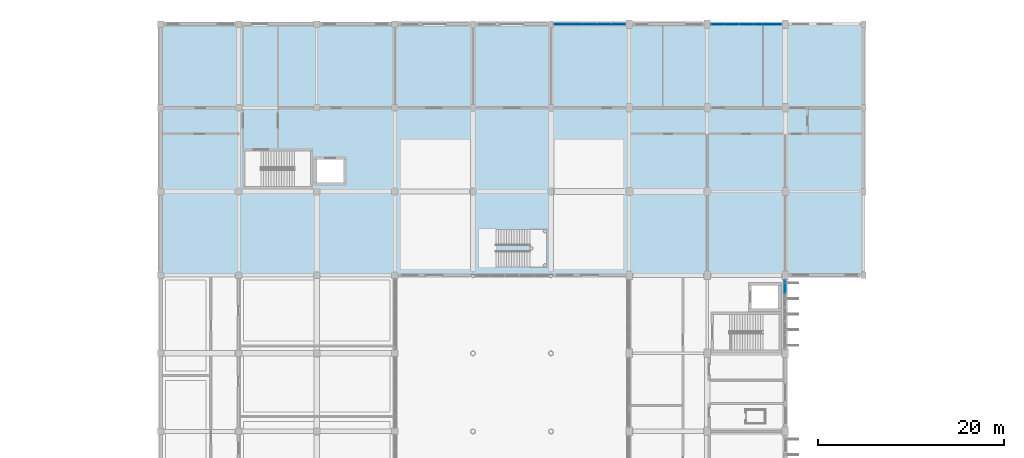
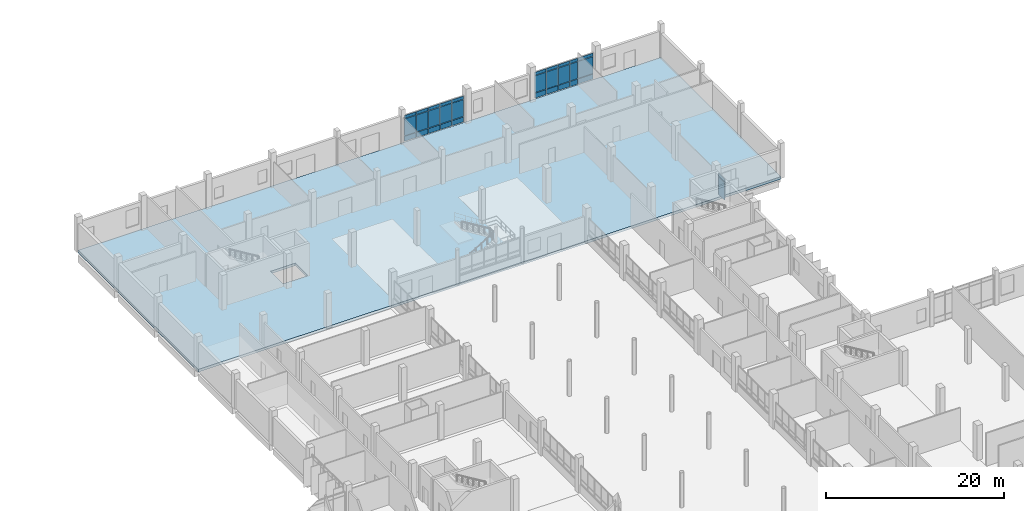
# One storey, part 70 of 95: 32 plates, 1 slab, 1 opening, 3 elements without a shape of their own.
"""IFC4 building model written with IfcOpenShell, lengths in metres."""

import ifcopenshell
import ifcopenshell.guid

model = None  # the IFC model being written
_history = None  # IfcOwnerHistory: only IFC2X3 demands one
_inside = {}  # id of a spatial element -> (the spatial element, [elements in it])
_under = {}  # id of a project, library or spatial element -> (it, [spatial elements below it])
_declared = {}  # id of a project -> (the project, [libraries it declares])
_typed = {}  # id of a type object -> (the type object, [elements of that type])
_made_of = {}  # id of a material, layer set ... -> (it, [elements and type objects made of it])


def new_model(schema):
    """Start an empty IFC model of exactly this schema.

    Asked for "IFC4X3", IfcOpenShell would pick the latest addendum, in which some entities
    have other attributes; the version numbers below select the first issue.
    IFC2X3 requires an IfcOwnerHistory on every rooted entity: one is made here for all.
    """
    global model, _history
    if schema == "IFC4X3":
        model = ifcopenshell.file(schema_version=(4, 3, 0, 0))
    else:
        model = ifcopenshell.file(schema=schema)
    _inside.clear()
    _under.clear()
    _declared.clear()
    _typed.clear()
    _made_of.clear()
    _history = None
    if model.schema == "IFC2X3":
        org = make("IfcOrganization", Name="unknown")
        user = make(
            "IfcPersonAndOrganization",
            ThePerson=make("IfcPerson", FamilyName="unknown"),
            TheOrganization=org,
        )
        app = make(
            "IfcApplication",
            ApplicationDeveloper=org,
            Version="unknown",
            ApplicationFullName="unknown",
            ApplicationIdentifier="unknown",
        )
        _history = make(
            "IfcOwnerHistory",
            OwningUser=user,
            OwningApplication=app,
            ChangeAction="ADDED",
            CreationDate=0,
        )
    return model


def make(cls, **values):
    """One entity of the class cls with the attributes given. An attribute that is None is left unset."""
    return model.create_entity(
        cls, **{name: value for name, value in values.items() if value is not None}
    )


def rooted(cls, **values):
    """An entity with a GlobalId (a new one), such as an element, a storey or a relation."""
    return make(cls, GlobalId=ifcopenshell.guid.new(), OwnerHistory=_history, **values)


def si_unit(unit_type, name, prefix=None):
    """IfcSIUnit, for example si_unit("LENGTHUNIT", "METRE", prefix="MILLI")."""
    return make("IfcSIUnit", UnitType=unit_type, Prefix=prefix, Name=name)


def assignment(units):
    """IfcUnitAssignment: the units of a project."""
    return None if units is None else make("IfcUnitAssignment", Units=units)


def point(xyz):
    """IfcCartesianPoint."""
    return None if xyz is None else make("IfcCartesianPoint", Coordinates=xyz)


def direction(xyz):
    """IfcDirection."""
    return None if xyz is None else make("IfcDirection", DirectionRatios=xyz)


def frame(location, z_axis=None, x_axis=None):
    """IfcAxis2Placement3D, a coordinate frame: its origin and axes. An axis left out is left unset."""
    return make(
        "IfcAxis2Placement3D",
        Location=point(location),
        Axis=direction(z_axis),
        RefDirection=direction(x_axis),
    )


def frame_2d(location, x_axis=None):
    """IfcAxis2Placement2D, a coordinate frame in the plane: its origin and x axis."""
    return make(
        "IfcAxis2Placement2D", Location=point(location), RefDirection=direction(x_axis)
    )


def origin():
    """The frame at (0, 0, 0) with its axes left unset."""
    return frame((0.0, 0.0, 0.0))


def origin_2d():
    """The frame at (0, 0) in the plane with its x axis left unset."""
    return frame_2d((0.0, 0.0))


def place(relative_to, where):
    """IfcLocalPlacement: puts the frame where relative to a parent placement (None: the world)."""
    return make(
        "IfcLocalPlacement", PlacementRelTo=relative_to, RelativePlacement=where
    )


def context(
    kind, dimensions, precision=None, world=None, true_north=None, identifier=None
):
    """IfcGeometricRepresentationContext, for example the 3D "Model" context."""
    return make(
        "IfcGeometricRepresentationContext",
        ContextIdentifier=identifier,
        ContextType=kind,
        CoordinateSpaceDimension=dimensions,
        Precision=precision,
        WorldCoordinateSystem=world,
        TrueNorth=true_north,
    )


def subcontext(parent, identifier, kind, view, scale=None):
    """IfcGeometricRepresentationSubContext, for example "Body" below "Model"."""
    return make(
        "IfcGeometricRepresentationSubContext",
        ContextIdentifier=identifier,
        ContextType=kind,
        ParentContext=parent,
        TargetScale=scale,
        TargetView=view,
    )


def project(units=None, contexts=None):
    """IfcProject with its units and contexts."""
    return rooted(
        "IfcProject",
        Name="project",
        RepresentationContexts=contexts,
        UnitsInContext=assignment(units),
    )


def spatial(cls, under=None, at=None, **own):
    """A site, building, storey or space (cls), placed at a placement, below another one or the project."""
    s = rooted(cls, ObjectPlacement=at, **own)
    if under is not None:
        _under.setdefault(under.id(), (under, []))[1].append(s)
    return s


def polyline(points):
    """IfcPolyline through the points."""
    return make("IfcPolyline", Points=[point(p) for p in points])


def profile(cls, at=None, kind="AREA", **sizes):
    """A parametric profile (cls). Its sizes go by their IFC names, for example OverallWidth=200.0."""
    return make(cls, ProfileType=kind, Position=at, **sizes)


def rectangle(**sizes):
    """IfcRectangleProfileDef."""
    return profile("IfcRectangleProfileDef", **sizes)


def outline(outer, holes=None, kind="AREA"):
    """IfcArbitraryClosedProfileDef: a profile drawn as a closed curve; with holes, ...WithVoids."""
    if holes is None:
        return make("IfcArbitraryClosedProfileDef", ProfileType=kind, OuterCurve=outer)
    return make(
        "IfcArbitraryProfileDefWithVoids",
        ProfileType=kind,
        OuterCurve=outer,
        InnerCurves=holes,
    )


def extrude(swept, where, along, depth):
    """IfcExtrudedAreaSolid: the profile swept, set in the frame where, extruded along a direction by depth."""
    return make(
        "IfcExtrudedAreaSolid",
        SweptArea=swept,
        Position=where,
        ExtrudedDirection=direction(along),
        Depth=depth,
    )


def shape(context_of_items, identifier, shape_type, items):
    """IfcShapeRepresentation: the items that make up one representation, for example the "Body"."""
    return make(
        "IfcShapeRepresentation",
        ContextOfItems=context_of_items,
        RepresentationIdentifier=identifier,
        RepresentationType=shape_type,
        Items=items,
    )


def material(Name=None, Category=None):
    """IfcMaterial."""
    return make("IfcMaterial", Name=Name, Category=Category)


def layer(
    of_material, thickness, ventilated=None, Name=None, Category=None, Priority=None
):
    """IfcMaterialLayer: one layer of a wall or slab, of a material (None: an air gap)."""
    return make(
        "IfcMaterialLayer",
        Material=of_material,
        LayerThickness=thickness,
        IsVentilated=ventilated,
        Name=Name,
        Category=Category,
        Priority=Priority,
    )


def layer_set(layers, Name=None):
    """IfcMaterialLayerSet."""
    return make("IfcMaterialLayerSet", MaterialLayers=layers, LayerSetName=Name)


def made_of(thing, what):
    """Note that an element or type object is made of a material, layer set ...; save() writes the relation."""
    if what is not None:
        _made_of.setdefault(what.id(), (what, []))[1].append(thing)
    return thing


def type_object(cls, material=None, **own):
    """A type object (cls), such as IfcWallType, which elements share."""
    return made_of(rooted(cls, **own), material)


def element(
    cls,
    number,
    at=None,
    inside=None,
    cuts=None,
    type_object=None,
    material=None,
    context=None,
    identifier="Body",
    shape_type=None,
    held_by="IfcProductDefinitionShape",
    body=None,
    shapes=None,
    **own,
):
    """One element of the class cls, such as IfcWall. Its Tag is "e" and its number.

    at: its placement. inside: the storey or other place that contains it. cuts: it is an
    opening in that element (IfcRelVoidsElement). A single representation is given by context,
    identifier, shape_type and body (its items); several are given by shapes. held_by: the class
    of the entity that holds the representations. save() writes the other relations.
    """
    e = rooted(cls, Tag="e%d" % number, ObjectPlacement=at, **own)
    if body is not None:
        shapes = [shape(context, identifier, shape_type, body)]
    if shapes is not None:
        e.Representation = make(held_by, Representations=shapes)
    if inside is not None:
        _inside.setdefault(inside.id(), (inside, []))[1].append(e)
    if cuts is not None:
        rooted(
            "IfcRelVoidsElement", RelatingBuildingElement=cuts, RelatedOpeningElement=e
        )
    if type_object is not None:
        _typed.setdefault(type_object.id(), (type_object, []))[1].append(e)
    return made_of(e, material)


def aggregate(whole, parts):
    """IfcRelAggregates: a whole, such as a stair, and the parts it consists of."""
    return rooted("IfcRelAggregates", RelatingObject=whole, RelatedObjects=parts)


def save(model, path):
    """Write the relations noted so far, then the file.

    IfcRelAggregates (storeys below a building ...), IfcRelContainedInSpatialStructure (elements
    in a storey), IfcRelDefinesByType, IfcRelAssociatesMaterial and IfcRelDeclares: one each for
    every whole, place, type object, material and project.
    """
    for whole, parts in _under.values():
        aggregate(whole, parts)
    for where, things in _inside.values():
        rooted(
            "IfcRelContainedInSpatialStructure",
            RelatedElements=things,
            RelatingStructure=where,
        )
    for kind, things in _typed.values():
        rooted("IfcRelDefinesByType", RelatedObjects=things, RelatingType=kind)
    for what, things in _made_of.values():
        rooted("IfcRelAssociatesMaterial", RelatedObjects=things, RelatingMaterial=what)
    for by, libraries in _declared.values():
        rooted("IfcRelDeclares", RelatingContext=by, RelatedDefinitions=libraries)
    model.write(path)


model = new_model("IFC4")

# Units and contexts
model_context = context("Model", 3, precision=1e-05, world=origin(), true_north=direction((0.0, 1.0)))
body_context = subcontext(model_context, "Body", "Model", "MODEL_VIEW")
ifc_project = project(units=[si_unit("LENGTHUNIT", "METRE"), si_unit("AREAUNIT", "SQUARE_METRE"), si_unit("VOLUMEUNIT", "CUBIC_METRE"), si_unit("PLANEANGLEUNIT", "RADIAN"), si_unit("MASSUNIT", "GRAM", prefix="KILO")], contexts=[model_context])

# Site, building, storey
site_placement = place(None, origin())
site = spatial("IfcSite", under=ifc_project, at=site_placement, CompositionType="ELEMENT")
building_placement = place(site_placement, origin())
building = spatial("IfcBuilding", under=site, at=building_placement, Name="Vireocrest Preparatory School", CompositionType="ELEMENT")
storey_placement = place(building_placement, origin())
storey = spatial("IfcBuildingStorey", under=building, at=storey_placement, Name="L00", CompositionType="ELEMENT", Elevation=0.0)

# Curtain wall, plates
ifc_material_1 = material(Name="Thermally broken aluminium EN AW-6063-T6", Category="aluminium")
ifc_layer_1 = layer(ifc_material_1, 0.179931640625)
ifc_layer_set_1 = layer_set([ifc_layer_1], Name="Thermally broken aluminium EN AW-6063-T6")
curtain_wall_type_1 = type_object("IfcCurtainWallType", Name="Ground Storefront Curtain Wall 8400x4800", PredefinedType="USERDEFINED", material=ifc_layer_set_1)
curtain_wall_1_placement = place(storey_placement, origin())
curtain_wall_1 = element("IfcCurtainWall", 1, at=curtain_wall_1_placement, inside=storey, type_object=curtain_wall_type_1, Name="Curtain Wall CW04 CW_L00_CW04_1092_0778_000", ObjectType="CURTAIN WALL", PredefinedType="USERDEFINED")
ifc_material_2 = material(Name="Insulated triple low-e tempered safety glass", Category="glass")
ifc_layer_2 = layer(ifc_material_2, 0.074951171875)
ifc_layer_set_2 = layer_set([ifc_layer_2], Name="Insulated triple low-e tempered safety glass")
plate_type_1 = type_object("IfcPlateType", Name="Acoustic Triple-Glazed Lab Curtain Panel 75", PredefinedType="CURTAIN_PANEL", material=ifc_layer_set_2)
plate_1_placement = place(storey_placement, frame((109.199951171875, 84.572021484375, 0.882568359375), z_axis=(0.0, 0.0, 1.0), x_axis=(0.0, 1.0, 0.0)))
plate_1 = element("IfcPlate", 2, at=plate_1_placement, type_object=plate_type_1, Name="CW Panel GL2 CW_L00_CW04_1092_0778_000-5-2", PredefinedType="CURTAIN_PANEL", context=body_context, shape_type="SweptSolid", body=[
    extrude(rectangle(XDim=1.4208984375, YDim=0.074951171875, at=origin_2d()), origin(), (0.0, 0.0, 1.0), 2.375),
])
plate_2_placement = place(storey_placement, frame((109.199951171875, 84.572021484375, 3.32275390625), z_axis=(0.0, 0.0, 1.0), x_axis=(0.0, 1.0, 0.0)))
plate_2 = element("IfcPlate", 3, at=plate_2_placement, type_object=plate_type_1, Name="CW Panel GL2 CW_L00_CW04_1092_0778_000-5-3", PredefinedType="CURTAIN_PANEL", context=body_context, shape_type="SweptSolid", body=[
    extrude(rectangle(XDim=1.4208984375, YDim=0.074951171875, at=origin_2d()), origin(), (0.0, 0.0, 1.0), 0.409912109375),
])
aggregate(curtain_wall_1, [plate_1, plate_2])

ifc_layer_3 = layer(ifc_material_1, 0.179931640625)
ifc_layer_set_3 = layer_set([ifc_layer_3], Name="Thermally broken aluminium EN AW-6063-T6")
curtain_wall_type_2 = type_object("IfcCurtainWallType", Name="North Street Curtain Wall 8400x4000", PredefinedType="USERDEFINED", material=ifc_layer_set_3)
curtain_wall_2_placement = place(storey_placement, origin())
curtain_wall_2 = element("IfcCurtainWall", 4, at=curtain_wall_2_placement, inside=storey, type_object=curtain_wall_type_2, Name="Curtain Wall CW05 CW_L00_CW05_0842_1128_000", ObjectType="CURTAIN WALL", PredefinedType="USERDEFINED")
plate_3_placement = place(storey_placement, frame((85.05810546875, 112.800048828125, 0.88232421875), z_axis=(0.0, 0.0, 1.0), x_axis=(1.0, 0.0, 0.0)))
plate_3 = element("IfcPlate", 5, at=plate_3_placement, type_object=plate_type_1, Name="CW Panel GL2 CW_L00_CW05_0842_1128_000-1-2", PredefinedType="CURTAIN_PANEL", context=body_context, shape_type="SweptSolid", body=[
    extrude(rectangle(XDim=1.48095703125, YDim=0.074951171875, at=origin_2d()), origin(), (0.0, 0.0, 1.0), 2.304931640625),
])
plate_4_placement = place(storey_placement, frame((85.05810546875, 112.800048828125, 3.25244140625), z_axis=(0.0, 0.0, 1.0), x_axis=(1.0, 0.0, 0.0)))
plate_4 = element("IfcPlate", 6, at=plate_4_placement, type_object=plate_type_1, Name="CW Panel GL2 CW_L00_CW05_0842_1128_000-1-3", PredefinedType="CURTAIN_PANEL", context=body_context, shape_type="SweptSolid", body=[
    extrude(rectangle(XDim=1.48095703125, YDim=0.074951171875, at=origin_2d()), origin(), (0.0, 0.0, 1.0), 0.409912109375),
])
plate_5_placement = place(storey_placement, frame((86.60400390625, 112.800048828125, 0.88232421875), z_axis=(0.0, 0.0, 1.0), x_axis=(1.0, 0.0, 0.0)))
plate_5 = element("IfcPlate", 7, at=plate_5_placement, type_object=plate_type_1, Name="CW Panel GL2 CW_L00_CW05_0842_1128_000-2-2", PredefinedType="CURTAIN_PANEL", context=body_context, shape_type="SweptSolid", body=[
    extrude(rectangle(XDim=1.48095703125, YDim=0.074951171875, at=origin_2d()), origin(), (0.0, 0.0, 1.0), 2.304931640625),
])
plate_6_placement = place(storey_placement, frame((86.60400390625, 112.800048828125, 3.25244140625), z_axis=(0.0, 0.0, 1.0), x_axis=(1.0, 0.0, 0.0)))
plate_6 = element("IfcPlate", 8, at=plate_6_placement, type_object=plate_type_1, Name="CW Panel GL2 CW_L00_CW05_0842_1128_000-2-3", PredefinedType="CURTAIN_PANEL", context=body_context, shape_type="SweptSolid", body=[
    extrude(rectangle(XDim=1.48095703125, YDim=0.074951171875, at=origin_2d()), origin(), (0.0, 0.0, 1.0), 0.409912109375),
])
plate_7_placement = place(storey_placement, frame((88.14990234375, 112.800048828125, 0.88232421875), z_axis=(0.0, 0.0, 1.0), x_axis=(1.0, 0.0, 0.0)))
plate_7 = element("IfcPlate", 9, at=plate_7_placement, type_object=plate_type_1, Name="CW Panel GL2 CW_L00_CW05_0842_1128_000-3-2", PredefinedType="CURTAIN_PANEL", context=body_context, shape_type="SweptSolid", body=[
    extrude(rectangle(XDim=1.48095703125, YDim=0.074951171875, at=origin_2d()), origin(), (0.0, 0.0, 1.0), 2.304931640625),
])
plate_8_placement = place(storey_placement, frame((88.14990234375, 112.800048828125, 3.25244140625), z_axis=(0.0, 0.0, 1.0), x_axis=(1.0, 0.0, 0.0)))
plate_8 = element("IfcPlate", 10, at=plate_8_placement, type_object=plate_type_1, Name="CW Panel GL2 CW_L00_CW05_0842_1128_000-3-3", PredefinedType="CURTAIN_PANEL", context=body_context, shape_type="SweptSolid", body=[
    extrude(rectangle(XDim=1.48095703125, YDim=0.074951171875, at=origin_2d()), origin(), (0.0, 0.0, 1.0), 0.409912109375),
])
plate_9_placement = place(storey_placement, frame((89.696044921875, 112.800048828125, 0.88232421875), z_axis=(0.0, 0.0, 1.0), x_axis=(1.0, 0.0, 0.0)))
plate_9 = element("IfcPlate", 11, at=plate_9_placement, type_object=plate_type_1, Name="CW Panel GL2 CW_L00_CW05_0842_1128_000-4-2", PredefinedType="CURTAIN_PANEL", context=body_context, shape_type="SweptSolid", body=[
    extrude(rectangle(XDim=1.48095703125, YDim=0.074951171875, at=origin_2d()), origin(), (0.0, 0.0, 1.0), 2.304931640625),
])
plate_10_placement = place(storey_placement, frame((89.696044921875, 112.800048828125, 3.25244140625), z_axis=(0.0, 0.0, 1.0), x_axis=(1.0, 0.0, 0.0)))
plate_10 = element("IfcPlate", 12, at=plate_10_placement, type_object=plate_type_1, Name="CW Panel GL2 CW_L00_CW05_0842_1128_000-4-3", PredefinedType="CURTAIN_PANEL", context=body_context, shape_type="SweptSolid", body=[
    extrude(rectangle(XDim=1.48095703125, YDim=0.074951171875, at=origin_2d()), origin(), (0.0, 0.0, 1.0), 0.409912109375),
])
plate_11_placement = place(storey_placement, frame((91.241943359375, 112.800048828125, 0.88232421875), z_axis=(0.0, 0.0, 1.0), x_axis=(1.0, 0.0, 0.0)))
plate_11 = element("IfcPlate", 13, at=plate_11_placement, type_object=plate_type_1, Name="CW Panel GL2 CW_L00_CW05_0842_1128_000-5-2", PredefinedType="CURTAIN_PANEL", context=body_context, shape_type="SweptSolid", body=[
    extrude(rectangle(XDim=1.48095703125, YDim=0.074951171875, at=origin_2d()), origin(), (0.0, 0.0, 1.0), 2.304931640625),
])
plate_12_placement = place(storey_placement, frame((91.241943359375, 112.800048828125, 3.25244140625), z_axis=(0.0, 0.0, 1.0), x_axis=(1.0, 0.0, 0.0)))
plate_12 = element("IfcPlate", 14, at=plate_12_placement, type_object=plate_type_1, Name="CW Panel GL2 CW_L00_CW05_0842_1128_000-5-3", PredefinedType="CURTAIN_PANEL", context=body_context, shape_type="SweptSolid", body=[
    extrude(rectangle(XDim=1.48095703125, YDim=0.074951171875, at=origin_2d()), origin(), (0.0, 0.0, 1.0), 0.409912109375),
])

curtain_wall_3_placement = place(storey_placement, origin())
curtain_wall_3 = element("IfcCurtainWall", 15, at=curtain_wall_3_placement, inside=storey, type_object=curtain_wall_type_2, Name="Curtain Wall CW05 CW_L00_CW05_1011_1128_000", ObjectType="CURTAIN WALL", PredefinedType="USERDEFINED")
plate_13_placement = place(storey_placement, frame((101.947998046875, 112.800048828125, 0.88232421875), z_axis=(0.0, 0.0, 1.0), x_axis=(1.0, 0.0, 0.0)))
plate_13 = element("IfcPlate", 16, at=plate_13_placement, type_object=plate_type_1, Name="CW Panel GL2 CW_L00_CW05_1011_1128_000-1-2", PredefinedType="CURTAIN_PANEL", context=body_context, shape_type="SweptSolid", body=[
    extrude(rectangle(XDim=1.4609375, YDim=0.074951171875, at=origin_2d()), origin(), (0.0, 0.0, 1.0), 2.304931640625),
])
plate_14_placement = place(storey_placement, frame((101.947998046875, 112.800048828125, 3.25244140625), z_axis=(0.0, 0.0, 1.0), x_axis=(1.0, 0.0, 0.0)))
plate_14 = element("IfcPlate", 17, at=plate_14_placement, type_object=plate_type_1, Name="CW Panel GL2 CW_L00_CW05_1011_1128_000-1-3", PredefinedType="CURTAIN_PANEL", context=body_context, shape_type="SweptSolid", body=[
    extrude(rectangle(XDim=1.4609375, YDim=0.074951171875, at=origin_2d()), origin(), (0.0, 0.0, 1.0), 0.409912109375),
])
plate_15_placement = place(storey_placement, frame((103.47412109375, 112.800048828125, 0.88232421875), z_axis=(0.0, 0.0, 1.0), x_axis=(1.0, 0.0, 0.0)))
plate_15 = element("IfcPlate", 18, at=plate_15_placement, type_object=plate_type_1, Name="CW Panel GL2 CW_L00_CW05_1011_1128_000-2-2", PredefinedType="CURTAIN_PANEL", context=body_context, shape_type="SweptSolid", body=[
    extrude(rectangle(XDim=1.4609375, YDim=0.074951171875, at=origin_2d()), origin(), (0.0, 0.0, 1.0), 2.304931640625),
])
plate_16_placement = place(storey_placement, frame((103.47412109375, 112.800048828125, 3.25244140625), z_axis=(0.0, 0.0, 1.0), x_axis=(1.0, 0.0, 0.0)))
plate_16 = element("IfcPlate", 19, at=plate_16_placement, type_object=plate_type_1, Name="CW Panel GL2 CW_L00_CW05_1011_1128_000-2-3", PredefinedType="CURTAIN_PANEL", context=body_context, shape_type="SweptSolid", body=[
    extrude(rectangle(XDim=1.4609375, YDim=0.074951171875, at=origin_2d()), origin(), (0.0, 0.0, 1.0), 0.409912109375),
])
plate_17_placement = place(storey_placement, frame((105.0, 112.800048828125, 0.88232421875), z_axis=(0.0, 0.0, 1.0), x_axis=(1.0, 0.0, 0.0)))
plate_17 = element("IfcPlate", 20, at=plate_17_placement, type_object=plate_type_1, Name="CW Panel GL2 CW_L00_CW05_1011_1128_000-3-2", PredefinedType="CURTAIN_PANEL", context=body_context, shape_type="SweptSolid", body=[
    extrude(rectangle(XDim=1.4609375, YDim=0.074951171875, at=origin_2d()), origin(), (0.0, 0.0, 1.0), 2.304931640625),
])
plate_18_placement = place(storey_placement, frame((105.0, 112.800048828125, 3.25244140625), z_axis=(0.0, 0.0, 1.0), x_axis=(1.0, 0.0, 0.0)))
plate_18 = element("IfcPlate", 21, at=plate_18_placement, type_object=plate_type_1, Name="CW Panel GL2 CW_L00_CW05_1011_1128_000-3-3", PredefinedType="CURTAIN_PANEL", context=body_context, shape_type="SweptSolid", body=[
    extrude(rectangle(XDim=1.4609375, YDim=0.074951171875, at=origin_2d()), origin(), (0.0, 0.0, 1.0), 0.409912109375),
])
plate_19_placement = place(storey_placement, frame((106.281494140625, 112.800048828125, 0.88232421875), z_axis=(0.0, 0.0, 1.0), x_axis=(1.0, 0.0, 0.0)))
plate_19 = element("IfcPlate", 22, at=plate_19_placement, type_object=plate_type_1, Name="CW Panel GL2 CW_L00_CW05_1011_1128_000-4-2", PredefinedType="CURTAIN_PANEL", context=body_context, shape_type="SweptSolid", body=[
    extrude(rectangle(XDim=0.971923828125, YDim=0.074951171875, at=origin_2d()), origin(), (0.0, 0.0, 1.0), 2.304931640625),
])
plate_20_placement = place(storey_placement, frame((106.281494140625, 112.800048828125, 3.25244140625), z_axis=(0.0, 0.0, 1.0), x_axis=(1.0, 0.0, 0.0)))
plate_20 = element("IfcPlate", 23, at=plate_20_placement, type_object=plate_type_1, Name="CW Panel GL2 CW_L00_CW05_1011_1128_000-4-3", PredefinedType="CURTAIN_PANEL", context=body_context, shape_type="SweptSolid", body=[
    extrude(rectangle(XDim=0.971923828125, YDim=0.074951171875, at=origin_2d()), origin(), (0.0, 0.0, 1.0), 0.409912109375),
])
plate_21_placement = place(storey_placement, frame((107.8076171875, 112.800048828125, 0.88232421875), z_axis=(0.0, 0.0, 1.0), x_axis=(1.0, 0.0, 0.0)))
plate_21 = element("IfcPlate", 24, at=plate_21_placement, type_object=plate_type_1, Name="CW Panel GL2 CW_L00_CW05_1011_1128_000-5-2", PredefinedType="CURTAIN_PANEL", context=body_context, shape_type="SweptSolid", body=[
    extrude(rectangle(XDim=1.949951171875, YDim=0.074951171875, at=origin_2d()), origin(), (0.0, 0.0, 1.0), 2.304931640625),
])
plate_22_placement = place(storey_placement, frame((107.8076171875, 112.800048828125, 3.25244140625), z_axis=(0.0, 0.0, 1.0), x_axis=(1.0, 0.0, 0.0)))
plate_22 = element("IfcPlate", 25, at=plate_22_placement, type_object=plate_type_1, Name="CW Panel GL2 CW_L00_CW05_1011_1128_000-5-3", PredefinedType="CURTAIN_PANEL", context=body_context, shape_type="SweptSolid", body=[
    extrude(rectangle(XDim=1.949951171875, YDim=0.074951171875, at=origin_2d()), origin(), (0.0, 0.0, 1.0), 0.409912109375),
])

# Slab, opening
ifc_material_3 = material(Name="Concrete 40 MPa", Category="concrete")
ifc_layer_4 = layer(ifc_material_3, 0.35009765625)
ifc_layer_set_4 = layer_set([ifc_layer_4], Name="Concrete 40 MPa")
slab_type = type_object("IfcSlabType", Name="Ground-Floor Structural Transfer RC Slab 350", PredefinedType="FLOOR", material=ifc_layer_set_4)
slab_placement = place(storey_placement, frame((0.0, 0.0, -0.35009765625)))
slab = element("IfcSlab", 26, at=slab_placement, inside=storey, type_object=slab_type, Name="Slab L00_NORTH_BAR", PredefinedType="FLOOR", context=body_context, shape_type="SweptSolid", body=[
    extrude(outline(polyline([(42.0, 85.800048828125), (117.60009765625, 85.800048828125), (117.60009765625, 112.800048828125), (42.0, 112.800048828125), (42.0, 85.800048828125)])), origin(), (0.0, 0.0, 1.0), 0.35009765625),
])
opening_placement = place(slab_placement, frame((0.0, 0.0, -0.010009765625)))
element("IfcOpeningElement", 27, at=opening_placement, cuts=slab, Name="Slab Opening SLAB_L00_NORTH_BAR-1", PredefinedType="OPENING", context=body_context, shape_type="SweptSolid", body=[
    extrude(outline(polyline([(58.64990234375, 95.60009765625), (61.85009765625, 95.60009765625), (61.85009765625, 98.39990234375), (58.64990234375, 98.39990234375), (58.64990234375, 95.60009765625)])), origin(), (0.0, 0.0, 1.0), 0.3701171875),
])

# Plate
ifc_material_4 = material(Name="Painted white aluminium cladding EN AW-6063-T6", Category="aluminium")
ifc_layer_5 = layer(ifc_material_4, 0.114990234375)
ifc_layer_set_5 = layer_set([ifc_layer_5], Name="Painted white aluminium cladding EN AW-6063-T6")
plate_type_2 = type_object("IfcPlateType", Name="Insulated White Spandrel Curtain Panel 115", PredefinedType="CURTAIN_PANEL", material=ifc_layer_set_5)
plate_23_placement = place(storey_placement, frame((85.05810546875, 112.800048828125, 0.12744140625), z_axis=(0.0, 0.0, 1.0), x_axis=(1.0, 0.0, 0.0)))
plate_23 = element("IfcPlate", 28, at=plate_23_placement, type_object=plate_type_2, Name="CW Panel SP2 CW_L00_CW05_0842_1128_000-1-1", PredefinedType="CURTAIN_PANEL", context=body_context, shape_type="SweptSolid", body=[
    extrude(rectangle(XDim=1.48095703125, YDim=0.114990234375, at=origin_2d()), origin(), (0.0, 0.0, 1.0), 0.68994140625),
])

plate_24_placement = place(storey_placement, frame((86.60400390625, 112.800048828125, 0.12744140625), z_axis=(0.0, 0.0, 1.0), x_axis=(1.0, 0.0, 0.0)))
plate_24 = element("IfcPlate", 29, at=plate_24_placement, type_object=plate_type_2, Name="CW Panel SP2 CW_L00_CW05_0842_1128_000-2-1", PredefinedType="CURTAIN_PANEL", context=body_context, shape_type="SweptSolid", body=[
    extrude(rectangle(XDim=1.48095703125, YDim=0.114990234375, at=origin_2d()), origin(), (0.0, 0.0, 1.0), 0.68994140625),
])

plate_25_placement = place(storey_placement, frame((88.14990234375, 112.800048828125, 0.12744140625), z_axis=(0.0, 0.0, 1.0), x_axis=(1.0, 0.0, 0.0)))
plate_25 = element("IfcPlate", 30, at=plate_25_placement, type_object=plate_type_2, Name="CW Panel SP2 CW_L00_CW05_0842_1128_000-3-1", PredefinedType="CURTAIN_PANEL", context=body_context, shape_type="SweptSolid", body=[
    extrude(rectangle(XDim=1.48095703125, YDim=0.114990234375, at=origin_2d()), origin(), (0.0, 0.0, 1.0), 0.68994140625),
])

plate_26_placement = place(storey_placement, frame((89.696044921875, 112.800048828125, 0.12744140625), z_axis=(0.0, 0.0, 1.0), x_axis=(1.0, 0.0, 0.0)))
plate_26 = element("IfcPlate", 31, at=plate_26_placement, type_object=plate_type_2, Name="CW Panel SP2 CW_L00_CW05_0842_1128_000-4-1", PredefinedType="CURTAIN_PANEL", context=body_context, shape_type="SweptSolid", body=[
    extrude(rectangle(XDim=1.48095703125, YDim=0.114990234375, at=origin_2d()), origin(), (0.0, 0.0, 1.0), 0.68994140625),
])

plate_27_placement = place(storey_placement, frame((91.241943359375, 112.800048828125, 0.12744140625), z_axis=(0.0, 0.0, 1.0), x_axis=(1.0, 0.0, 0.0)))
plate_27 = element("IfcPlate", 32, at=plate_27_placement, type_object=plate_type_2, Name="CW Panel SP2 CW_L00_CW05_0842_1128_000-5-1", PredefinedType="CURTAIN_PANEL", context=body_context, shape_type="SweptSolid", body=[
    extrude(rectangle(XDim=1.48095703125, YDim=0.114990234375, at=origin_2d()), origin(), (0.0, 0.0, 1.0), 0.68994140625),
])

aggregate(curtain_wall_2, [plate_23, plate_3, plate_4, plate_24, plate_5, plate_6, plate_25, plate_7, plate_8, plate_26, plate_9, plate_10, plate_27, plate_11, plate_12])

plate_28_placement = place(storey_placement, frame((101.947998046875, 112.800048828125, 0.12744140625), z_axis=(0.0, 0.0, 1.0), x_axis=(1.0, 0.0, 0.0)))
plate_28 = element("IfcPlate", 33, at=plate_28_placement, type_object=plate_type_2, Name="CW Panel SP2 CW_L00_CW05_1011_1128_000-1-1", PredefinedType="CURTAIN_PANEL", context=body_context, shape_type="SweptSolid", body=[
    extrude(rectangle(XDim=1.4609375, YDim=0.114990234375, at=origin_2d()), origin(), (0.0, 0.0, 1.0), 0.68994140625),
])

plate_29_placement = place(storey_placement, frame((103.47412109375, 112.800048828125, 0.12744140625), z_axis=(0.0, 0.0, 1.0), x_axis=(1.0, 0.0, 0.0)))
plate_29 = element("IfcPlate", 34, at=plate_29_placement, type_object=plate_type_2, Name="CW Panel SP2 CW_L00_CW05_1011_1128_000-2-1", PredefinedType="CURTAIN_PANEL", context=body_context, shape_type="SweptSolid", body=[
    extrude(rectangle(XDim=1.4609375, YDim=0.114990234375, at=origin_2d()), origin(), (0.0, 0.0, 1.0), 0.68994140625),
])

plate_30_placement = place(storey_placement, frame((105.0, 112.800048828125, 0.12744140625), z_axis=(0.0, 0.0, 1.0), x_axis=(1.0, 0.0, 0.0)))
plate_30 = element("IfcPlate", 35, at=plate_30_placement, type_object=plate_type_2, Name="CW Panel SP2 CW_L00_CW05_1011_1128_000-3-1", PredefinedType="CURTAIN_PANEL", context=body_context, shape_type="SweptSolid", body=[
    extrude(rectangle(XDim=1.4609375, YDim=0.114990234375, at=origin_2d()), origin(), (0.0, 0.0, 1.0), 0.68994140625),
])

plate_31_placement = place(storey_placement, frame((106.281494140625, 112.800048828125, 0.12744140625), z_axis=(0.0, 0.0, 1.0), x_axis=(1.0, 0.0, 0.0)))
plate_31 = element("IfcPlate", 36, at=plate_31_placement, type_object=plate_type_2, Name="CW Panel SP2 CW_L00_CW05_1011_1128_000-4-1", PredefinedType="CURTAIN_PANEL", context=body_context, shape_type="SweptSolid", body=[
    extrude(rectangle(XDim=0.971923828125, YDim=0.114990234375, at=origin_2d()), origin(), (0.0, 0.0, 1.0), 0.68994140625),
])

plate_32_placement = place(storey_placement, frame((107.8076171875, 112.800048828125, 0.12744140625), z_axis=(0.0, 0.0, 1.0), x_axis=(1.0, 0.0, 0.0)))
plate_32 = element("IfcPlate", 37, at=plate_32_placement, type_object=plate_type_2, Name="CW Panel SP2 CW_L00_CW05_1011_1128_000-5-1", PredefinedType="CURTAIN_PANEL", context=body_context, shape_type="SweptSolid", body=[
    extrude(rectangle(XDim=1.949951171875, YDim=0.114990234375, at=origin_2d()), origin(), (0.0, 0.0, 1.0), 0.68994140625),
])

aggregate(curtain_wall_3, [plate_28, plate_13, plate_14, plate_29, plate_15, plate_16, plate_30, plate_17, plate_18, plate_31, plate_19, plate_20, plate_32, plate_21, plate_22])

save(model, "model.ifc")
